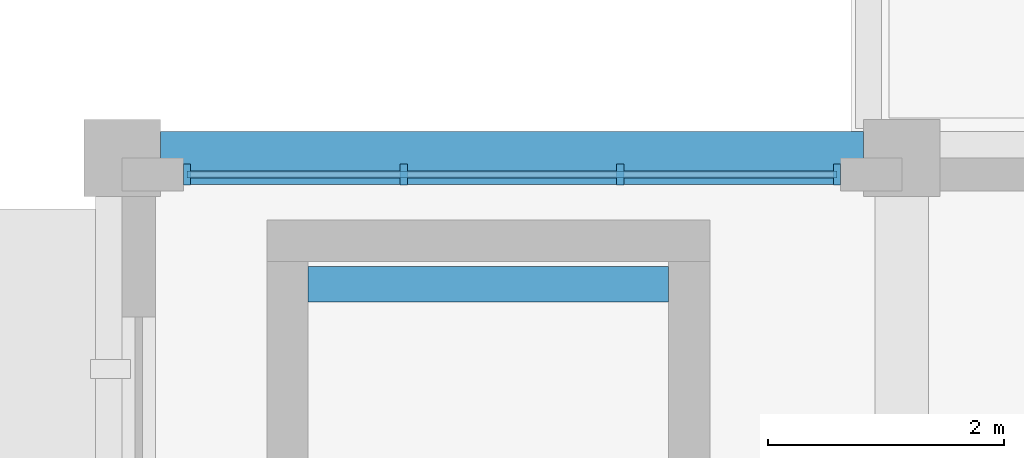
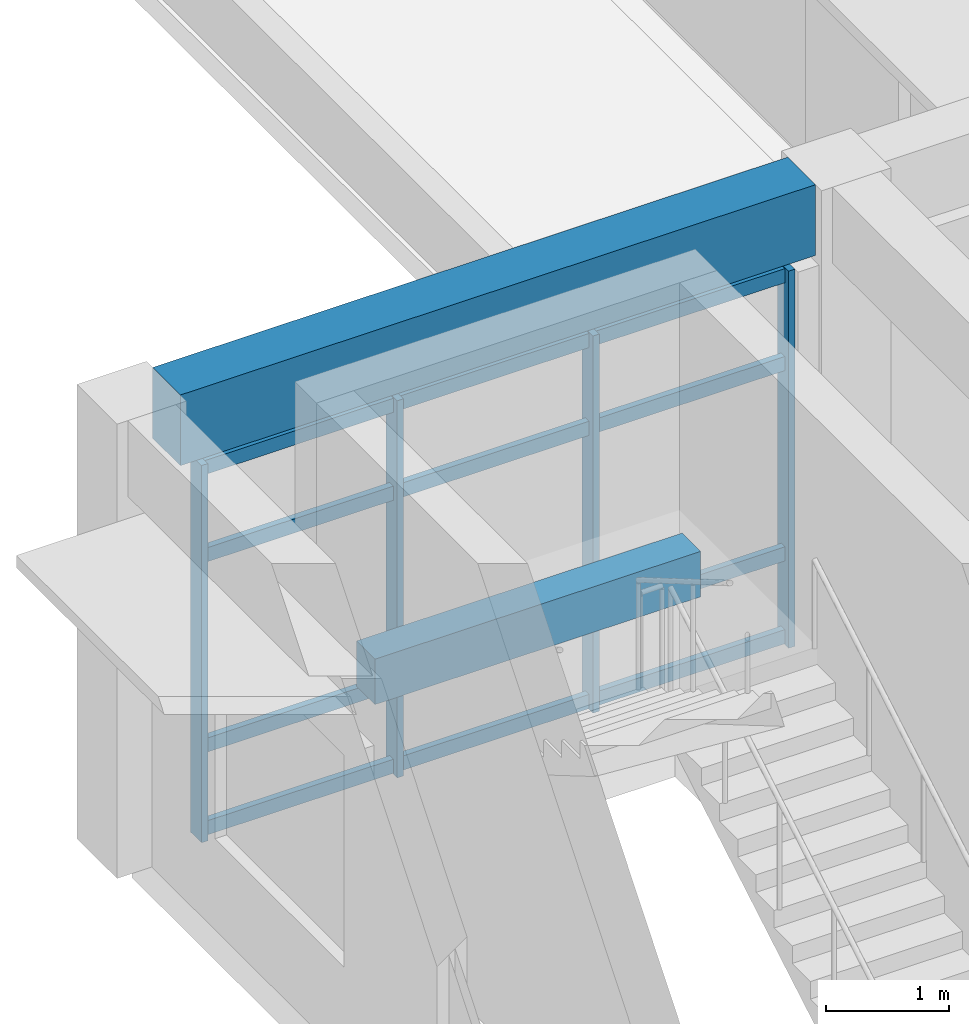
# One storey, part 11 of 50: 8 members, 2 beams, 1 element without a shape of its own.
"""IFC4 building model written with IfcOpenShell, lengths in metres."""

from ifc_helpers import new_model, si_unit, direction, frame, origin, origin_2d, place, context, subcontext, project, spatial, rectangle, extrude, material, layer, layer_set, material_profile, profile_set, type_object, element, aggregate, save


model = new_model("IFC4")

# Units and contexts
model_context = context("Model", 3, precision=1e-05, world=origin(), true_north=direction((0.0, 1.0)))
body_context = subcontext(model_context, "Body", "Model", "MODEL_VIEW")
ifc_project = project(units=[si_unit("LENGTHUNIT", "METRE"), si_unit("AREAUNIT", "SQUARE_METRE"), si_unit("VOLUMEUNIT", "CUBIC_METRE"), si_unit("PLANEANGLEUNIT", "RADIAN"), si_unit("MASSUNIT", "GRAM", prefix="KILO")], contexts=[model_context])

# Site, building, storey
site_placement = place(None, origin())
site = spatial("IfcSite", under=ifc_project, at=site_placement, CompositionType="ELEMENT")
building_placement = place(site_placement, origin())
building = spatial("IfcBuilding", under=site, at=building_placement, Name="Kolvaren Faculty of Natural Sciences", CompositionType="ELEMENT")
storey_placement = place(building_placement, frame((0.0, 0.0, 15.0)))
storey = spatial("IfcBuildingStorey", under=building, at=storey_placement, Name="L03", CompositionType="ELEMENT", Elevation=15.0)

# Beam
ifc_material_1 = material(Name="Concrete C40/50", Category="concrete")
ifc_material_profile_1 = material_profile(ifc_material_1, rectangle(XDim=0.300048828125, YDim=0.449951171875, at=origin_2d()), Name="RC LNT 300x450")
ifc_profile_set_1 = profile_set([ifc_material_profile_1], Name="Concrete C40/50")
beam_type_1 = type_object("IfcBeamType", Name="CoreCouplingLintel_300x450", PredefinedType="LINTEL", material=ifc_profile_set_1)
beam_1_placement = place(storey_placement, frame((127.175048828125, 41.1298828125, 1.824951171875), z_axis=(1.0, 0.0, 0.0), x_axis=(0.0, 1.0, 0.0)))
element("IfcBeam", 1, at=beam_1_placement, inside=storey, type_object=beam_type_1, Name="L03 ST-3 half-landing support lintel", PredefinedType="LINTEL", context=body_context, shape_type="SweptSolid", body=[
    extrude(rectangle(XDim=0.300048828125, YDim=0.449951171875, at=origin_2d()), origin(), (0.0, 0.0, 1.0), 3.050048828125),
])

# Curtain wall, members
ifc_material_2 = material(Name="Thermally broken anodised aluminium framing", Category="aluminium")
ifc_layer = layer(ifc_material_2, 0.179931640625)
ifc_layer_set = layer_set([ifc_layer], Name="Thermally broken anodised aluminium framing")
curtain_wall_type = type_object("IfcCurtainWallType", Name="CommonsCurtainWall_CW02", PredefinedType="NOTDEFINED", material=ifc_layer_set)
curtain_wall_placement = place(storey_placement, origin())
curtain_wall = element("IfcCurtainWall", 2, at=curtain_wall_placement, inside=storey, type_object=curtain_wall_type, Name="L03 unitised curtain wall CW-02 (CW-L03-141)", PredefinedType="NOTDEFINED")
ifc_material_profile_2 = material_profile(ifc_material_2, rectangle(XDim=0.06005859375, YDim=0.179931640625, at=origin_2d()), Name="ALU MUL 60x180")
ifc_profile_set_2 = profile_set([ifc_material_profile_2], Name="Thermally broken anodised aluminium framing")
member_type_1 = type_object("IfcMemberType", Name="CurtainMullion_60x180", PredefinedType="MULLION", material=ifc_profile_set_2)
member_1_placement = place(storey_placement, frame((126.14990234375, 42.06005859375, 0.0), z_axis=(0.0, 0.0, 1.0), x_axis=(1.0, 0.0, 0.0)))
member_1 = element("IfcMember", 3, at=member_1_placement, type_object=member_type_1, Name="CW-L03-141 vertical mullion 1", PredefinedType="MULLION", context=body_context, shape_type="SweptSolid", body=[
    extrude(rectangle(XDim=0.06005859375, YDim=0.179931640625, at=origin_2d()), origin(), (0.0, 0.0, 1.0), 3.735107421875),
])
member_2_placement = place(storey_placement, frame((127.9833984375, 42.06005859375, 0.0), z_axis=(0.0, 0.0, 1.0), x_axis=(1.0, 0.0, 0.0)))
member_2 = element("IfcMember", 4, at=member_2_placement, type_object=member_type_1, Name="CW-L03-141 vertical mullion 2", PredefinedType="MULLION", context=body_context, shape_type="SweptSolid", body=[
    extrude(rectangle(XDim=0.06005859375, YDim=0.179931640625, at=origin_2d()), origin(), (0.0, 0.0, 1.0), 3.735107421875),
])
member_3_placement = place(storey_placement, frame((129.816650390625, 42.06005859375, 0.0), z_axis=(0.0, 0.0, 1.0), x_axis=(1.0, 0.0, 0.0)))
member_3 = element("IfcMember", 5, at=member_3_placement, type_object=member_type_1, Name="CW-L03-141 vertical mullion 3", PredefinedType="MULLION", context=body_context, shape_type="SweptSolid", body=[
    extrude(rectangle(XDim=0.06005859375, YDim=0.179931640625, at=origin_2d()), origin(), (0.0, 0.0, 1.0), 3.735107421875),
])
member_4_placement = place(storey_placement, frame((131.64990234375, 42.06005859375, 0.0), z_axis=(0.0, 0.0, 1.0), x_axis=(1.0, 0.0, 0.0)))
member_4 = element("IfcMember", 6, at=member_4_placement, type_object=member_type_1, Name="CW-L03-141 vertical mullion 4", PredefinedType="MULLION", context=body_context, shape_type="SweptSolid", body=[
    extrude(rectangle(XDim=0.06005859375, YDim=0.179931640625, at=origin_2d()), origin(), (0.0, 0.0, 1.0), 3.735107421875),
])
ifc_material_profile_3 = material_profile(ifc_material_2, rectangle(XDim=0.06005859375, YDim=0.139892578125, at=origin_2d()), Name="ALU TRN 60x140")
ifc_profile_set_3 = profile_set([ifc_material_profile_3], Name="Thermally broken anodised aluminium framing")
member_type_2 = type_object("IfcMemberType", Name="CurtainTransom_60x140", PredefinedType="USERDEFINED", material=ifc_profile_set_3)
member_5_placement = place(storey_placement, frame((126.14990234375, 42.06005859375, 0.080078125), z_axis=(1.0, 0.0, 0.0), x_axis=(0.0, 1.0, 0.0)))
member_5 = element("IfcMember", 7, at=member_5_placement, type_object=member_type_2, Name="CW-L03-141 horizontal transom 1", ObjectType="TRANSOM", PredefinedType="USERDEFINED", context=body_context, shape_type="SweptSolid", body=[
    extrude(rectangle(XDim=0.06005859375, YDim=0.139892578125, at=origin_2d()), origin(), (0.0, 0.0, 1.0), 5.5),
])
member_6_placement = place(storey_placement, frame((126.14990234375, 42.06005859375, 0.89990234375), z_axis=(1.0, 0.0, 0.0), x_axis=(0.0, 1.0, 0.0)))
member_6 = element("IfcMember", 8, at=member_6_placement, type_object=member_type_2, Name="CW-L03-141 horizontal transom 2", ObjectType="TRANSOM", PredefinedType="USERDEFINED", context=body_context, shape_type="SweptSolid", body=[
    extrude(rectangle(XDim=0.06005859375, YDim=0.139892578125, at=origin_2d()), origin(), (0.0, 0.0, 1.0), 5.5),
])
member_7_placement = place(storey_placement, frame((126.14990234375, 42.06005859375, 2.784912109375), z_axis=(1.0, 0.0, 0.0), x_axis=(0.0, 1.0, 0.0)))
member_7 = element("IfcMember", 9, at=member_7_placement, type_object=member_type_2, Name="CW-L03-141 horizontal transom 3", ObjectType="TRANSOM", PredefinedType="USERDEFINED", context=body_context, shape_type="SweptSolid", body=[
    extrude(rectangle(XDim=0.06005859375, YDim=0.139892578125, at=origin_2d()), origin(), (0.0, 0.0, 1.0), 5.5),
])
member_8_placement = place(storey_placement, frame((126.14990234375, 42.06005859375, 3.655029296875), z_axis=(1.0, 0.0, 0.0), x_axis=(0.0, 1.0, 0.0)))
member_8 = element("IfcMember", 10, at=member_8_placement, type_object=member_type_2, Name="CW-L03-141 horizontal transom 4", ObjectType="TRANSOM", PredefinedType="USERDEFINED", context=body_context, shape_type="SweptSolid", body=[
    extrude(rectangle(XDim=0.06005859375, YDim=0.139892578125, at=origin_2d()), origin(), (0.0, 0.0, 1.0), 5.5),
])
aggregate(curtain_wall, [member_1, member_2, member_3, member_4, member_5, member_6, member_7, member_8])

# Beam
ifc_material_3 = material(Name="Concrete C35/45", Category="concrete")
ifc_material_profile_4 = material_profile(ifc_material_3, rectangle(XDim=0.449951171875, YDim=0.699951171875, at=origin_2d()), Name="RC SP 450x700")
ifc_profile_set_4 = profile_set([ifc_material_profile_4], Name="Concrete C35/45")
beam_type_2 = type_object("IfcBeamType", Name="PerimeterSpandrel_450x700", PredefinedType="SPANDREL", material=ifc_profile_set_4)
beam_2_placement = place(storey_placement, frame((125.925048828125, 42.199951171875, 4.14990234375), z_axis=(1.0, 0.0, 0.0), x_axis=(0.0, 1.0, 0.0)))
element("IfcBeam", 11, at=beam_2_placement, inside=storey, type_object=beam_type_2, Name="L03 spandrel SP-70 on grid F", PredefinedType="SPANDREL", context=body_context, shape_type="SweptSolid", body=[
    extrude(rectangle(XDim=0.449951171875, YDim=0.699951171875, at=origin_2d()), origin(), (0.0, 0.0, 1.0), 5.949951171875),
])

save(model, "model.ifc")
